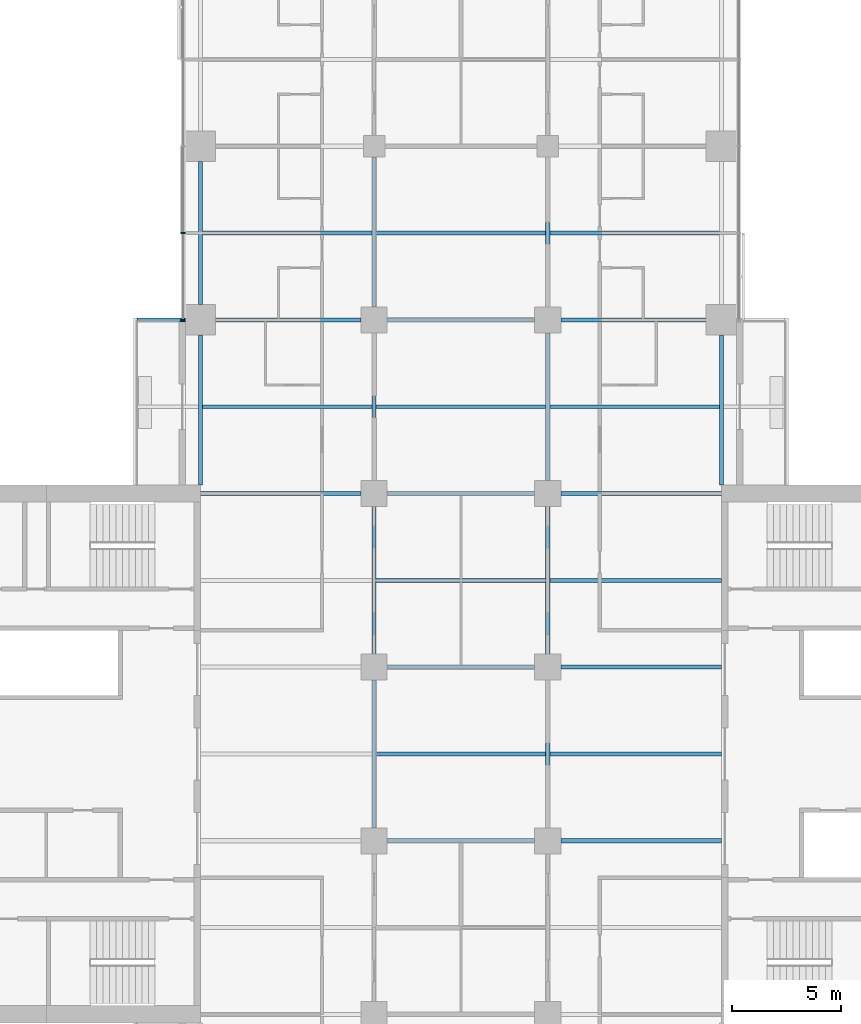
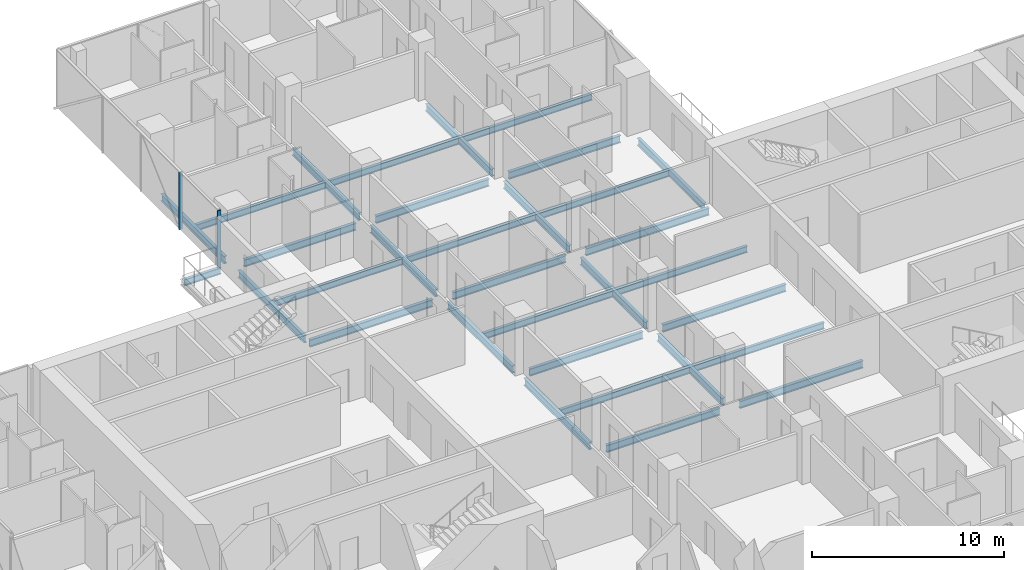
# One storey, part 9 of 29: 32 beams, 2 members, 1 element without a shape of its own.
"""IFC4 building model written with IfcOpenShell, lengths in metres."""

from ifc_helpers import new_model, si_unit, direction, frame, origin, origin_2d, place, context, subcontext, project, spatial, rectangle, i_section, extrude, material, material_profile, profile_set, type_object, element, aggregate, save


model = new_model("IFC4")

# Units and contexts
model_context = context("Model", 3, precision=1e-05, world=origin(), true_north=direction((0.0, 1.0)))
body_context = subcontext(model_context, "Body", "Model", "MODEL_VIEW")
ifc_project = project(units=[si_unit("LENGTHUNIT", "METRE"), si_unit("AREAUNIT", "SQUARE_METRE"), si_unit("VOLUMEUNIT", "CUBIC_METRE"), si_unit("PLANEANGLEUNIT", "RADIAN"), si_unit("MASSUNIT", "GRAM", prefix="KILO")], contexts=[model_context])

# Site, building, storey
site_placement = place(None, origin())
site = spatial("IfcSite", under=ifc_project, at=site_placement, CompositionType="ELEMENT")
building_placement = place(site_placement, origin())
building = spatial("IfcBuilding", under=site, at=building_placement, Name="Crosswind Convention Tower", CompositionType="ELEMENT")
storey_placement = place(building_placement, frame((0.0, 0.0, 60.89990234375)))
storey = spatial("IfcBuildingStorey", under=building, at=storey_placement, Name="L09", CompositionType="ELEMENT", Elevation=60.89990234375)

# Beams
ifc_material_1 = material(Name="Steel S355", Category="steel")
ifc_material_profile_1 = material_profile(ifc_material_1, i_section(OverallWidth=0.177734375, OverallDepth=0.406494140625, WebThickness=0.0078125, FlangeThickness=0.0126953125, FilletRadius=0.01025390625, at=origin_2d()), Name="UB 406x178x60")
ifc_profile_set_1 = profile_set([ifc_material_profile_1], Name="Steel S355")
beam_type_1 = type_object("IfcBeamType", Name="Balcony cantilever UB 406x178x60", PredefinedType="BEAM", material=ifc_profile_set_1)
beam_1_placement = place(storey_placement, frame((112.300048828125, 120.0, -0.483154296875), z_axis=(-1.0, 0.0, 0.0), x_axis=(0.0, -1.0, 0.0)))
element("IfcBeam", 1, at=beam_1_placement, inside=storey, type_object=beam_type_1, Name="B35 L09 balcony cantilever NW 5", PredefinedType="BEAM", context=body_context, shape_type="SweptSolid", body=[
    extrude(i_section(OverallWidth=0.177734375, OverallDepth=0.406494140625, WebThickness=0.0078125, FlangeThickness=0.0126953125, FilletRadius=0.01025390625, at=origin_2d()), origin(), (0.0, 0.0, 1.0), 2.214599609375),
])
ifc_material_profile_2 = material_profile(ifc_material_1, i_section(OverallWidth=0.1904296875, OverallDepth=0.457275390625, WebThickness=0.009033203125, FlangeThickness=0.014404296875, FilletRadius=0.01025390625, at=origin_2d()), Name="UB 457x191x75")
ifc_profile_set_2 = profile_set([ifc_material_profile_2], Name="Steel S355")
beam_type_2 = type_object("IfcBeamType", Name="Edge beam UB 457x191x75", PredefinedType="SPANDREL", material=ifc_profile_set_2)
beam_2_placement = place(storey_placement, frame((113.0, 112.39990234375, -0.508544921875), z_axis=(0.0, 1.0, 0.0), x_axis=(-1.0, 0.0, 0.0)))
element("IfcBeam", 2, at=beam_2_placement, inside=storey, type_object=beam_type_2, Name="B17 L09 edge beam 9", PredefinedType="SPANDREL", context=body_context, shape_type="SweptSolid", body=[
    extrude(i_section(OverallWidth=0.1904296875, OverallDepth=0.457275390625, WebThickness=0.009033203125, FlangeThickness=0.014404296875, FilletRadius=0.01025390625, at=origin_2d()), origin(), (0.0, 0.0, 1.0), 6.900146484375),
])
beam_3_placement = place(storey_placement, frame((113.0, 120.699951171875, -0.508544921875), z_axis=(0.0, 1.0, 0.0), x_axis=(-1.0, 0.0, 0.0)))
element("IfcBeam", 3, at=beam_3_placement, inside=storey, type_object=beam_type_2, Name="B17 L09 edge beam 10", PredefinedType="SPANDREL", context=body_context, shape_type="SweptSolid", body=[
    extrude(i_section(OverallWidth=0.1904296875, OverallDepth=0.457275390625, WebThickness=0.009033203125, FlangeThickness=0.014404296875, FilletRadius=0.01025390625, at=origin_2d()), origin(), (0.0, 0.0, 1.0), 6.60009765625),
])
beam_4_placement = place(storey_placement, frame((137.0, 112.39990234375, -0.508544921875), z_axis=(0.0, 1.0, 0.0), x_axis=(-1.0, 0.0, 0.0)))
element("IfcBeam", 4, at=beam_4_placement, inside=storey, type_object=beam_type_2, Name="B17 L09 edge beam 21", PredefinedType="SPANDREL", context=body_context, shape_type="SweptSolid", body=[
    extrude(i_section(OverallWidth=0.1904296875, OverallDepth=0.457275390625, WebThickness=0.009033203125, FlangeThickness=0.014404296875, FilletRadius=0.01025390625, at=origin_2d()), origin(), (0.0, 0.0, 1.0), 6.900146484375),
])
ifc_material_profile_3 = material_profile(ifc_material_1, i_section(OverallWidth=0.19140625, OverallDepth=0.460205078125, WebThickness=0.010009765625, FlangeThickness=0.01611328125, FilletRadius=0.01025390625, at=origin_2d()), Name="UB 457x191x82")
ifc_profile_set_3 = profile_set([ifc_material_profile_3], Name="Steel S355")
beam_type_3 = type_object("IfcBeamType", Name="Girder UB 457x191x82", PredefinedType="BEAM", material=ifc_profile_set_3)
beam_5_placement = place(storey_placement, frame((113.699951171875, 120.0, -0.510009765625), z_axis=(1.0, 0.0, 0.0), x_axis=(0.0, 1.0, 0.0)))
element("IfcBeam", 5, at=beam_5_placement, inside=storey, type_object=beam_type_3, Name="B3 L09 girder 3", PredefinedType="BEAM", context=body_context, shape_type="SweptSolid", body=[
    extrude(i_section(OverallWidth=0.19140625, OverallDepth=0.460205078125, WebThickness=0.010009765625, FlangeThickness=0.01611328125, FilletRadius=0.01025390625, at=origin_2d()), origin(), (0.0, 0.0, 1.0), 6.699951171875),
])
for number, where, z_axis, x_axis, name in (
    (6, (121.0, 96.60009765625, -0.510009765625), (0.0, 1.0, 0.0), (-1.0, 0.0, 0.0), "B3 L09 girder 9"),
    (7, (121.0, 104.60009765625, -0.510009765625), (0.0, 1.0, 0.0), (-1.0, 0.0, 0.0), "B3 L09 girder 10"),
    (8, (121.0, 112.60009765625, -0.510009765625), (0.0, 1.0, 0.0), (-1.0, 0.0, 0.0), "B3 L09 girder 11"),
):
    element("IfcBeam", number, at=place(storey_placement, frame(where, z_axis=z_axis, x_axis=x_axis)), inside=storey, type_object=beam_type_3, Name=name, PredefinedType="BEAM", context=body_context, shape_type="SweptSolid", body=[
        extrude(i_section(OverallWidth=0.19140625, OverallDepth=0.460205078125, WebThickness=0.010009765625, FlangeThickness=0.01611328125, FilletRadius=0.01025390625, at=origin_2d()), origin(), (0.0, 0.0, 1.0), 6.7998046875),
    ])
beam_6_placement = place(storey_placement, frame((121.0, 120.60009765625, -0.510009765625), z_axis=(0.0, 1.0, 0.0), x_axis=(-1.0, 0.0, 0.0)))
element("IfcBeam", 9, at=beam_6_placement, inside=storey, type_object=beam_type_3, Name="B3 L09 girder 12", PredefinedType="BEAM", context=body_context, shape_type="SweptSolid", body=[
    extrude(i_section(OverallWidth=0.19140625, OverallDepth=0.460205078125, WebThickness=0.010009765625, FlangeThickness=0.01611328125, FilletRadius=0.01025390625, at=origin_2d()), origin(), (0.0, 0.0, 1.0), 6.89990234375),
])
for number, where, z_axis, x_axis, name in (
    (10, (121.60009765625, 96.0, -0.510009765625), (1.0, 0.0, 0.0), (0.0, 1.0, 0.0), "B3 L09 girder 18"),
    (11, (121.60009765625, 104.0, -0.510009765625), (1.0, 0.0, 0.0), (0.0, 1.0, 0.0), "B3 L09 girder 19"),
    (12, (121.60009765625, 112.0, -0.510009765625), (1.0, 0.0, 0.0), (0.0, 1.0, 0.0), "B3 L09 girder 20"),
    (13, (121.60009765625, 120.0, -0.510009765625), (1.0, 0.0, 0.0), (0.0, 1.0, 0.0), "B3 L09 girder 21"),
    (14, (129.0, 96.60009765625, -0.510009765625), (0.0, 1.0, 0.0), (-1.0, 0.0, 0.0), "B3 L09 girder 26"),
    (15, (129.0, 104.60009765625, -0.510009765625), (0.0, 1.0, 0.0), (-1.0, 0.0, 0.0), "B3 L09 girder 27"),
    (16, (129.0, 112.60009765625, -0.510009765625), (0.0, 1.0, 0.0), (-1.0, 0.0, 0.0), "B3 L09 girder 28"),
):
    element("IfcBeam", number, at=place(storey_placement, frame(where, z_axis=z_axis, x_axis=x_axis)), inside=storey, type_object=beam_type_3, Name=name, PredefinedType="BEAM", context=body_context, shape_type="SweptSolid", body=[
        extrude(i_section(OverallWidth=0.19140625, OverallDepth=0.460205078125, WebThickness=0.010009765625, FlangeThickness=0.01611328125, FilletRadius=0.01025390625, at=origin_2d()), origin(), (0.0, 0.0, 1.0), 6.7998046875),
    ])
beam_7_placement = place(storey_placement, frame((129.0, 120.60009765625, -0.510009765625), z_axis=(0.0, 1.0, 0.0), x_axis=(-1.0, 0.0, 0.0)))
element("IfcBeam", 17, at=beam_7_placement, inside=storey, type_object=beam_type_3, Name="B3 L09 girder 29", PredefinedType="BEAM", context=body_context, shape_type="SweptSolid", body=[
    extrude(i_section(OverallWidth=0.19140625, OverallDepth=0.460205078125, WebThickness=0.010009765625, FlangeThickness=0.01611328125, FilletRadius=0.01025390625, at=origin_2d()), origin(), (0.0, 0.0, 1.0), 6.89990234375),
])
beam_8_placement = place(storey_placement, frame((129.60009765625, 120.0, -0.510009765625), z_axis=(1.0, 0.0, 0.0), x_axis=(0.0, 1.0, 0.0)))
element("IfcBeam", 18, at=beam_8_placement, inside=storey, type_object=beam_type_3, Name="B3 L09 girder 34", PredefinedType="BEAM", context=body_context, shape_type="SweptSolid", body=[
    extrude(i_section(OverallWidth=0.19140625, OverallDepth=0.460205078125, WebThickness=0.010009765625, FlangeThickness=0.01611328125, FilletRadius=0.01025390625, at=origin_2d()), origin(), (0.0, 0.0, 1.0), 6.699951171875),
])
ifc_material_profile_4 = material_profile(ifc_material_1, i_section(OverallWidth=0.19189453125, OverallDepth=0.463623046875, WebThickness=0.010498046875, FlangeThickness=0.017578125, FilletRadius=0.01025390625, at=origin_2d()), Name="UB 457x191x90")
ifc_profile_set_4 = profile_set([ifc_material_profile_4], Name="Steel S355")
beam_type_4 = type_object("IfcBeamType", Name="Girder at core wall UB 457x191x90", PredefinedType="BEAM", material=ifc_profile_set_4)
for number, where, z_axis, x_axis, name in (
    (19, (113.0, 112.0, -0.51171875), (1.0, 0.0, 0.0), (0.0, 1.0, 0.0), "B24 L09 girder at core wall 6"),
    (20, (129.60009765625, 96.0, -0.51171875), (1.0, 0.0, 0.0), (0.0, 1.0, 0.0), "B24 L09 girder at core wall 8"),
    (21, (129.60009765625, 104.0, -0.51171875), (1.0, 0.0, 0.0), (0.0, 1.0, 0.0), "B24 L09 girder at core wall 9"),
    (22, (129.60009765625, 112.0, -0.51171875), (1.0, 0.0, 0.0), (0.0, 1.0, 0.0), "B24 L09 girder at core wall 10"),
):
    element("IfcBeam", number, at=place(storey_placement, frame(where, z_axis=z_axis, x_axis=x_axis)), inside=storey, type_object=beam_type_4, Name=name, PredefinedType="BEAM", context=body_context, shape_type="SweptSolid", body=[
        extrude(i_section(OverallWidth=0.19189453125, OverallDepth=0.463623046875, WebThickness=0.010498046875, FlangeThickness=0.017578125, FilletRadius=0.01025390625, at=origin_2d()), origin(), (0.0, 0.0, 1.0), 7.39990234375),
    ])

# Curtain wall, members
ifc_material_2 = material(Name="Aluminium unitised curtain wall", Category="aluminium")
curtain_wall_type = type_object("IfcCurtainWallType", Name="HOTEL UNITISED WALL 200", PredefinedType="USERDEFINED", material=ifc_material_2)
curtain_wall_placement = place(storey_placement, origin())
curtain_wall = element("IfcCurtainWall", 23, at=curtain_wall_placement, inside=storey, type_object=curtain_wall_type, Name="CW2 L09 N-W 1", ObjectType="UNITISED", PredefinedType="USERDEFINED")
ifc_material_3 = material(Name="Aluminium mullion", Category="aluminium")
ifc_material_profile_5 = material_profile(ifc_material_3, rectangle(XDim=0.199951171875, YDim=0.06494140625, at=origin_2d()), Name="AL 200X65")
ifc_profile_set_5 = profile_set([ifc_material_profile_5], Name="Aluminium mullion")
member_type = type_object("IfcMemberType", Name="MULLION 65X200", PredefinedType="MULLION", material=ifc_profile_set_5)
member_1_placement = place(storey_placement, frame((112.199951171875, 124.0, -0.27978515625), z_axis=(0.0, 0.0, 1.0), x_axis=(-1.0, 0.0, 0.0)))
member_1 = element("IfcMember", 24, at=member_1_placement, type_object=member_type, Name="CW2 mullion 4", PredefinedType="MULLION", context=body_context, shape_type="SweptSolid", body=[
    extrude(rectangle(XDim=0.199951171875, YDim=0.06494140625, at=origin_2d()), origin(), (0.0, 0.0, 1.0), 3.634765625),
])
member_2_placement = place(storey_placement, frame((112.199951171875, 120.0, -0.27978515625), z_axis=(0.0, 0.0, 1.0), x_axis=(-1.0, 0.0, 0.0)))
member_2 = element("IfcMember", 25, at=member_2_placement, type_object=member_type, Name="CW2 mullion 5", PredefinedType="MULLION", context=body_context, shape_type="SweptSolid", body=[
    extrude(rectangle(XDim=0.199951171875, YDim=0.06494140625, at=origin_2d()), origin(), (0.0, 0.0, 1.0), 3.634765625),
])
aggregate(curtain_wall, [member_1, member_2])

# Beams
ifc_material_profile_6 = material_profile(ifc_material_1, i_section(OverallWidth=0.177734375, OverallDepth=0.406494140625, WebThickness=0.0078125, FlangeThickness=0.0126953125, FilletRadius=0.01025390625, at=origin_2d()), Name="UB 406x178x60")
ifc_profile_set_6 = profile_set([ifc_material_profile_6], Name="Steel S355")
beam_type_5 = type_object("IfcBeamType", Name="Secondary beam UB 406x178x60", PredefinedType="JOIST", material=ifc_profile_set_6)
for number, where, z_axis, x_axis, name in (
    (26, (113.09521484375, 116.0, -0.483154296875), (1.0, 0.0, 0.0), (0.0, 1.0, 0.0), "B10 L09 secondary beam 10"),
    (27, (113.09521484375, 124.0, -0.483154296875), (1.0, 0.0, 0.0), (0.0, 1.0, 0.0), "B10 L09 secondary beam 11"),
):
    element("IfcBeam", number, at=place(storey_placement, frame(where, z_axis=z_axis, x_axis=x_axis)), inside=storey, type_object=beam_type_5, Name=name, PredefinedType="JOIST", context=body_context, shape_type="SweptSolid", body=[
        extrude(i_section(OverallWidth=0.177734375, OverallDepth=0.406494140625, WebThickness=0.0078125, FlangeThickness=0.0126953125, FilletRadius=0.01025390625, at=origin_2d()), origin(), (0.0, 0.0, 1.0), 7.80908203125),
    ])
for number, where, z_axis, x_axis, name in (
    (28, (121.095703125, 100.0, -0.483154296875), (1.0, 0.0, 0.0), (0.0, 1.0, 0.0), "B10 L09 secondary beam 17"),
    (29, (121.095703125, 108.0, -0.483154296875), (1.0, 0.0, 0.0), (0.0, 1.0, 0.0), "B10 L09 secondary beam 18"),
    (30, (121.095703125, 116.0, -0.483154296875), (1.0, 0.0, 0.0), (0.0, 1.0, 0.0), "B10 L09 secondary beam 19"),
    (31, (121.095703125, 124.0, -0.483154296875), (1.0, 0.0, 0.0), (0.0, 1.0, 0.0), "B10 L09 secondary beam 20"),
):
    element("IfcBeam", number, at=place(storey_placement, frame(where, z_axis=z_axis, x_axis=x_axis)), inside=storey, type_object=beam_type_5, Name=name, PredefinedType="JOIST", context=body_context, shape_type="SweptSolid", body=[
        extrude(i_section(OverallWidth=0.177734375, OverallDepth=0.406494140625, WebThickness=0.0078125, FlangeThickness=0.0126953125, FilletRadius=0.01025390625, at=origin_2d()), origin(), (0.0, 0.0, 1.0), 7.80859375),
    ])
for number, where, z_axis, x_axis, name in (
    (32, (129.095703125, 100.0, -0.483154296875), (1.0, 0.0, 0.0), (0.0, 1.0, 0.0), "B10 L09 secondary beam 26"),
    (33, (129.095703125, 108.0, -0.483154296875), (1.0, 0.0, 0.0), (0.0, 1.0, 0.0), "B10 L09 secondary beam 27"),
):
    element("IfcBeam", number, at=place(storey_placement, frame(where, z_axis=z_axis, x_axis=x_axis)), inside=storey, type_object=beam_type_5, Name=name, PredefinedType="JOIST", context=body_context, shape_type="SweptSolid", body=[
        extrude(i_section(OverallWidth=0.177734375, OverallDepth=0.406494140625, WebThickness=0.0078125, FlangeThickness=0.0126953125, FilletRadius=0.01025390625, at=origin_2d()), origin(), (0.0, 0.0, 1.0), 7.904296875),
    ])
for number, where, z_axis, x_axis, name in (
    (34, (129.095703125, 116.0, -0.483154296875), (1.0, 0.0, 0.0), (0.0, 1.0, 0.0), "B10 L09 secondary beam 28"),
    (35, (129.095703125, 124.0, -0.483154296875), (1.0, 0.0, 0.0), (0.0, 1.0, 0.0), "B10 L09 secondary beam 29"),
):
    element("IfcBeam", number, at=place(storey_placement, frame(where, z_axis=z_axis, x_axis=x_axis)), inside=storey, type_object=beam_type_5, Name=name, PredefinedType="JOIST", context=body_context, shape_type="SweptSolid", body=[
        extrude(i_section(OverallWidth=0.177734375, OverallDepth=0.406494140625, WebThickness=0.0078125, FlangeThickness=0.0126953125, FilletRadius=0.01025390625, at=origin_2d()), origin(), (0.0, 0.0, 1.0), 7.80908203125),
    ])

save(model, "model.ifc")
